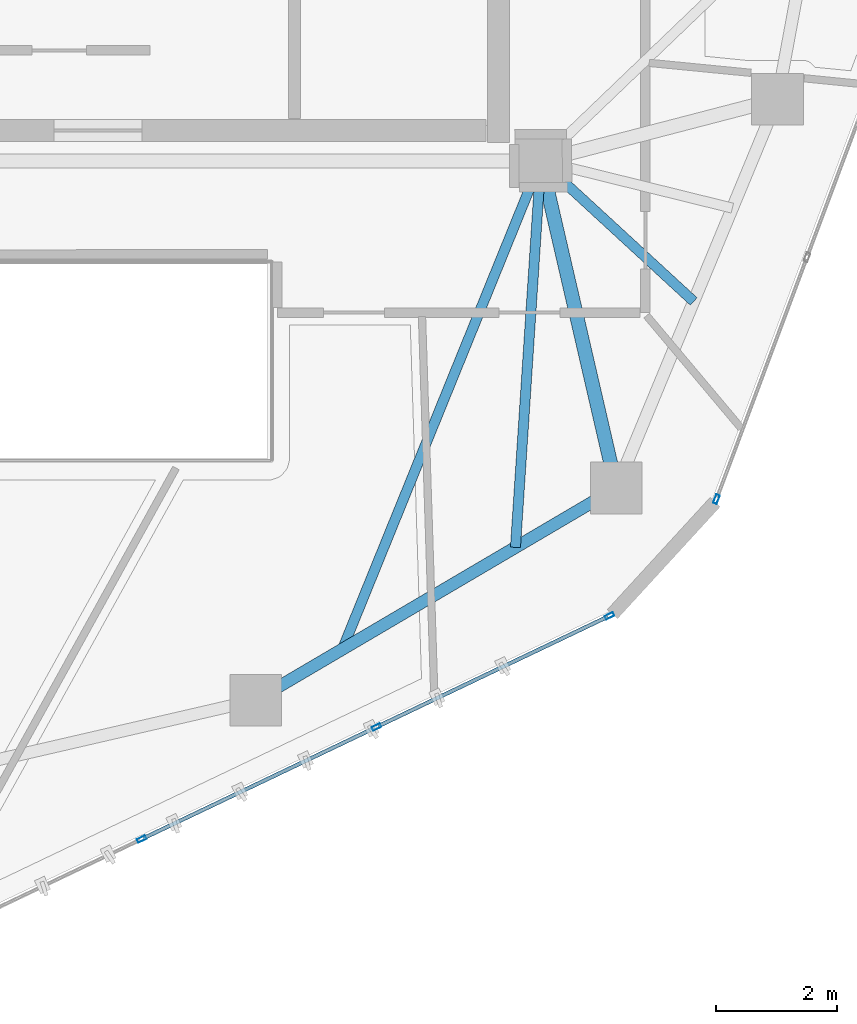
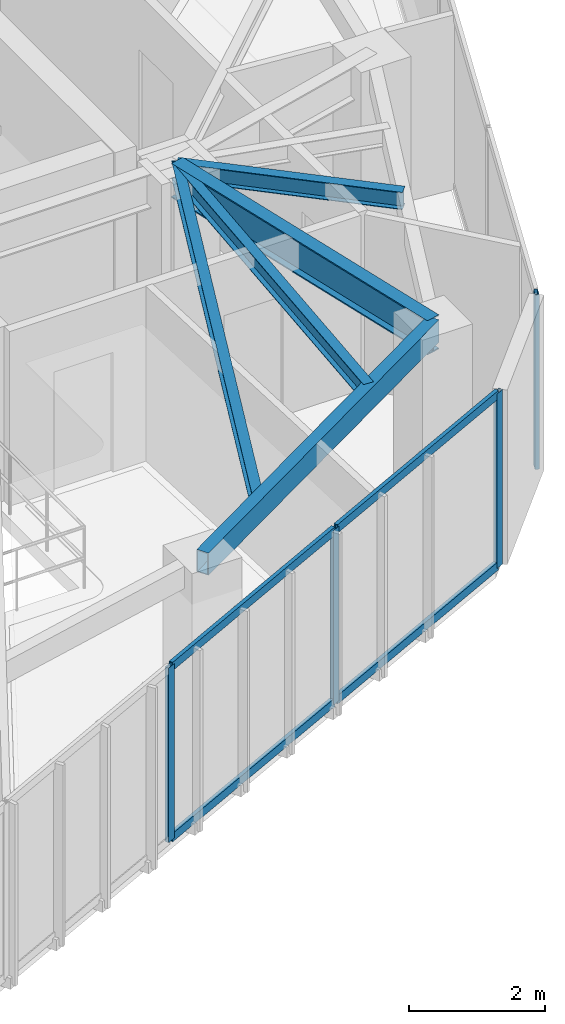
# One storey, part 6 of 20: 8 members, 5 beams, 2 elements without a shape of their own.
"""IFC4 building model written with IfcOpenShell, lengths in metres."""

from ifc_helpers import new_model, si_unit, direction, frame, origin, origin_2d, place, context, subcontext, project, spatial, hollow_rectangle, i_section, extrude, source, transform, mapped, material, layer, layer_set, material_profile, profile_set, type_object, type_shapes, element, aggregate, save


model = new_model("IFC4")

# Units and contexts
model_context = context("Model", 3, precision=1e-05, world=origin(), true_north=direction((0.0, 1.0)))
body_context = subcontext(model_context, "Body", "Model", "MODEL_VIEW")
ifc_project = project(units=[si_unit("LENGTHUNIT", "METRE"), si_unit("AREAUNIT", "SQUARE_METRE"), si_unit("VOLUMEUNIT", "CUBIC_METRE"), si_unit("PLANEANGLEUNIT", "RADIAN"), si_unit("MASSUNIT", "GRAM", prefix="KILO")], contexts=[model_context])

# Site, building, storey
site_placement = place(None, origin())
site = spatial("IfcSite", under=ifc_project, at=site_placement, CompositionType="ELEMENT")
building_placement = place(site_placement, origin())
building = spatial("IfcBuilding", under=site, at=building_placement, Name="Talar Marvaseh", CompositionType="ELEMENT")
storey_placement = place(building_placement, frame((0.0, 0.0, 268.0)))
storey = spatial("IfcBuildingStorey", under=building, at=storey_placement, Name="L71", CompositionType="ELEMENT", Elevation=268.0)

# Beams
ifc_material_1 = material(Name="Steel S355", Category="steel")
ifc_material_profile_1 = material_profile(ifc_material_1, hollow_rectangle(XDim=0.199951171875, YDim=0.39990234375, WallThickness=0.013916015625, at=origin_2d()), Name="RHS400x200x14")
ifc_profile_set_1 = profile_set([ifc_material_profile_1], Name="Steel S355")
beam_type_1 = type_object("IfcBeamType", Name="Zone 3 Perimeter Spandrel Beam RHS400x200x14", PredefinedType="SPANDREL", material=ifc_profile_set_1)
beam_1_placement = place(storey_placement, frame((34.5439453125, 20.111083984375, 2.93994140625), z_axis=(-0.861894136287, -0.507088254482, 0.0), x_axis=(0.507088254482, -0.861894136287, 0.0)))
element("IfcBeam", 1, at=beam_1_placement, inside=storey, type_object=beam_type_1, Name="L71 Zone 3 Perimeter Spandrel Beam RHS400x200x14", PredefinedType="SPANDREL", context=body_context, shape_type="SweptSolid", body=[
    extrude(hollow_rectangle(XDim=0.199951171875, YDim=0.39990234375, WallThickness=0.013916015625, at=origin_2d()), origin(), (0.0, 0.0, 1.0), 6.890625),
])
ifc_material_profile_2 = material_profile(ifc_material_1, i_section(OverallWidth=0.166015625, OverallDepth=0.31298828125, WebThickness=0.006591796875, FlangeThickness=0.01123046875, at=origin_2d()), Name="W310x45")
ifc_profile_set_2 = profile_set([ifc_material_profile_2], Name="Steel S355")
beam_type_2 = type_object("IfcBeamType", Name="Zone 3 Secondary Floor Joist W310x45", PredefinedType="JOIST", material=ifc_profile_set_2)
beam_2_placement = place(storey_placement, frame((35.8173828125, 23.184326171875, 2.9833984375), z_axis=(-0.735970843201, 0.677013233223, 0.0), x_axis=(-0.677013233223, -0.735970843201, 0.0)))
element("IfcBeam", 2, at=beam_2_placement, inside=storey, type_object=beam_type_2, Name="L71 Zone 3 Secondary Floor Joist W310x45", PredefinedType="JOIST", context=body_context, shape_type="SweptSolid", body=[
    extrude(i_section(OverallWidth=0.166015625, OverallDepth=0.31298828125, WebThickness=0.006591796875, FlangeThickness=0.01123046875, at=origin_2d()), origin(), (0.0, 0.0, 1.0), 3.42041015625),
])
beam_3_placement = place(storey_placement, frame((32.881103515625, 19.1328125, 2.9833984375), z_axis=(0.065655577597, 0.997842344827, 0.0), x_axis=(-0.997842344827, 0.065655577597, 0.0)))
element("IfcBeam", 3, at=beam_3_placement, inside=storey, type_object=beam_type_2, Name="L71 Zone 3 Secondary Floor Joist W310x45", PredefinedType="JOIST", context=body_context, shape_type="SweptSolid", body=[
    extrude(i_section(OverallWidth=0.166015625, OverallDepth=0.31298828125, WebThickness=0.006591796875, FlangeThickness=0.01123046875, at=origin_2d()), origin(), (0.0, 0.0, 1.0), 6.380859375),
])
beam_4_placement = place(storey_placement, frame((30.030517578125, 17.45556640625, 2.9833984375), z_axis=(0.37652334678, 0.92640712936, 0.0), x_axis=(-0.92640712936, 0.37652334678, 0.0)))
element("IfcBeam", 4, at=beam_4_placement, inside=storey, type_object=beam_type_2, Name="L71 Zone 3 Secondary Floor Joist W310x45", PredefinedType="JOIST", context=body_context, shape_type="SweptSolid", body=[
    extrude(i_section(OverallWidth=0.166015625, OverallDepth=0.31298828125, WebThickness=0.006591796875, FlangeThickness=0.01123046875, at=origin_2d()), origin(), (0.0, 0.0, 1.0), 8.68359375),
])
ifc_material_profile_3 = material_profile(ifc_material_1, i_section(OverallWidth=0.22998046875, OverallDepth=0.616943359375, WebThickness=0.01318359375, FlangeThickness=0.022216796875, at=origin_2d()), Name="W610x140")
ifc_profile_set_3 = profile_set([ifc_material_profile_3], Name="Steel S355")
beam_type_3 = type_object("IfcBeamType", Name="Zone 4 Radial Floor Girder W610x140", PredefinedType="BEAM", material=ifc_profile_set_3)
beam_5_placement = place(storey_placement, frame((34.5439453125, 20.111083984375, 2.83154296875), z_axis=(-0.22491108979, 0.974379290466, 0.0), x_axis=(-0.974379290466, -0.22491108979, 0.0)))
element("IfcBeam", 5, at=beam_5_placement, inside=storey, type_object=beam_type_3, Name="L71 Zone 4 Radial Floor Girder W610x140", PredefinedType="BEAM", context=body_context, shape_type="SweptSolid", body=[
    extrude(i_section(OverallWidth=0.22998046875, OverallDepth=0.616943359375, WebThickness=0.01318359375, FlangeThickness=0.022216796875, at=origin_2d()), origin(), (0.0, 0.0, 1.0), 5.530517578125),
])

# Curtain wall, member
ifc_material_2 = material(Name="Architectural Aluminium", Category="aluminium")
ifc_layer = layer(ifc_material_2, 0.179931640625)
ifc_layer_set = layer_set([ifc_layer], Name="Architectural Aluminium")
curtain_wall_type = type_object("IfcCurtainWallType", Name="Unitised High-Wind Sky Curtain Wall Z4", PredefinedType="NOTDEFINED", material=ifc_layer_set)
curtain_wall_1_placement = place(storey_placement, origin())
curtain_wall_1 = element("IfcCurtainWall", 6, at=curtain_wall_1_placement, inside=storey, type_object=curtain_wall_type, Name="L71 Unitised High-Wind Sky Curtain Wall Z4", PredefinedType="NOTDEFINED")
ifc_material_profile_4 = material_profile(ifc_material_2, hollow_rectangle(XDim=0.06494140625, YDim=0.14990234375, WallThickness=0.00390625, at=origin_2d()), Name="RHS150x65x4")
ifc_profile_set_4 = profile_set([ifc_material_profile_4], Name="Architectural Aluminium")
member_type_1 = type_object("IfcMemberType", Name="Unitised Curtain Wall Slim Mullion RHS150x65x4", PredefinedType="MULLION", material=ifc_profile_set_4)
shared_shape_1 = source(origin(), body_context, "Body", "SweptSolid", [
    extrude(hollow_rectangle(XDim=0.06494140625, YDim=0.14990234375, WallThickness=0.00390625, at=origin_2d()), origin(), (0.0, 0.0, 1.0), 3.139892578125),
])
type_shapes(member_type_1, [shared_shape_1])
member_1_placement = place(storey_placement, frame((36.19287109375, 19.92822265625, 0.0), z_axis=(0.0, 0.0, 1.0), x_axis=(0.93661841065, -0.350351185001, 0.0)))
member_1 = element("IfcMember", 7, at=member_1_placement, type_object=member_type_1, Name="CW-Z4 mullion 5", PredefinedType="MULLION", context=body_context, shape_type="MappedRepresentation", body=[
    mapped(shared_shape_1, transform((0.0, 0.0, 0.0), x_axis=(1.0, 0.0, 0.0), y_axis=(0.0, 1.0, 0.0), z_axis=(0.0, 0.0, 1.0), scale=1.0)),
])
aggregate(curtain_wall_1, [member_1])

# Curtain wall, members
curtain_wall_2_placement = place(storey_placement, origin())
curtain_wall_2 = element("IfcCurtainWall", 8, at=curtain_wall_2_placement, inside=storey, type_object=curtain_wall_type, Name="L71 Unitised High-Wind Sky Curtain Wall Z4", PredefinedType="NOTDEFINED")
member_2_placement = place(storey_placement, frame((34.43115234375, 18.005615234375, 0.0), z_axis=(0.0, 0.0, 1.0), x_axis=(0.430654764719, -0.902516744235, 0.0)))
member_2 = element("IfcMember", 9, at=member_2_placement, type_object=member_type_1, Name="CW-Z4 mullion 1", PredefinedType="MULLION", context=body_context, shape_type="MappedRepresentation", body=[
    mapped(shared_shape_1, transform((0.0, 0.0, 0.0), x_axis=(1.0, 0.0, 0.0), y_axis=(0.0, 1.0, 0.0), z_axis=(0.0, 0.0, 1.0), scale=1.0)),
])
member_3_placement = place(storey_placement, frame((30.59228515625, 16.173828125, 0.0), z_axis=(0.0, 0.0, 1.0), x_axis=(0.430654764719, -0.902516744235, 0.0)))
member_3 = element("IfcMember", 10, at=member_3_placement, type_object=member_type_1, Name="CW-Z4 mullion 2", PredefinedType="MULLION", context=body_context, shape_type="MappedRepresentation", body=[
    mapped(shared_shape_1, transform((0.0, 0.0, 0.0), x_axis=(1.0, 0.0, 0.0), y_axis=(0.0, 1.0, 0.0), z_axis=(0.0, 0.0, 1.0), scale=1.0)),
])
member_4_placement = place(storey_placement, frame((26.7236328125, 14.327880859375, 0.0), z_axis=(0.0, 0.0, 1.0), x_axis=(0.430654764719, -0.902516744235, 0.0)))
member_4 = element("IfcMember", 11, at=member_4_placement, type_object=member_type_1, Name="CW-Z4 mullion 3", PredefinedType="MULLION", context=body_context, shape_type="MappedRepresentation", body=[
    mapped(shared_shape_1, transform((0.0, 0.0, 0.0), x_axis=(1.0, 0.0, 0.0), y_axis=(0.0, 1.0, 0.0), z_axis=(0.0, 0.0, 1.0), scale=1.0)),
])
ifc_material_profile_5 = material_profile(ifc_material_2, hollow_rectangle(XDim=0.06494140625, YDim=0.14990234375, WallThickness=0.00390625, at=origin_2d()), Name="RHS150x65x4")
ifc_profile_set_5 = profile_set([ifc_material_profile_5], Name="Architectural Aluminium")
member_type_2 = type_object("IfcMemberType", Name="Unitised Curtain Wall Slim Transom RHS150x65x4", PredefinedType="USERDEFINED", material=ifc_profile_set_5)
shared_shape_2 = source(origin(), body_context, "Body", "SweptSolid", [
    extrude(hollow_rectangle(XDim=0.06494140625, YDim=0.14990234375, WallThickness=0.00390625, at=origin_2d()), origin(), (0.0, 0.0, 1.0), 4.188720703125),
])
member_5_placement = place(storey_placement, frame((34.40185546875, 17.99169921875, 0.032470703125), z_axis=(-0.902505753435, -0.430677797218, 0.0), x_axis=(0.430677797218, -0.902505753435, 0.0)))
member_5 = element("IfcMember", 12, at=member_5_placement, type_object=member_type_2, Name="CW-Z4 transom 1.1", ObjectType="TRANSOM", PredefinedType="USERDEFINED", context=body_context, shape_type="MappedRepresentation", body=[
    mapped(shared_shape_2, transform((0.0, 0.0, 0.0), x_axis=(1.0, 0.0, 0.0), y_axis=(0.0, 1.0, 0.0), z_axis=(0.0, 0.0, 1.0), scale=1.0)),
])
member_6_placement = place(storey_placement, frame((34.40185546875, 17.99169921875, 3.107421875), z_axis=(-0.902505753435, -0.430677797218, 0.0), x_axis=(0.430677797218, -0.902505753435, 0.0)))
member_6 = element("IfcMember", 13, at=member_6_placement, type_object=member_type_2, Name="CW-Z4 transom 1.2", ObjectType="TRANSOM", PredefinedType="USERDEFINED", context=body_context, shape_type="MappedRepresentation", body=[
    mapped(shared_shape_2, transform((0.0, 0.0, 0.0), x_axis=(1.0, 0.0, 0.0), y_axis=(0.0, 1.0, 0.0), z_axis=(0.0, 0.0, 1.0), scale=1.0)),
])
shared_shape_3 = source(origin(), body_context, "Body", "SweptSolid", [
    extrude(hollow_rectangle(XDim=0.06494140625, YDim=0.14990234375, WallThickness=0.00390625, at=origin_2d()), origin(), (0.0, 0.0, 1.0), 4.22119140625),
])
type_shapes(member_type_2, [shared_shape_2, shared_shape_3])
member_7_placement = place(storey_placement, frame((30.562744140625, 16.159912109375, 0.032470703125), z_axis=(-0.902489213156, -0.430712456445, 0.0), x_axis=(0.430712456445, -0.902489213156, 0.0)))
member_7 = element("IfcMember", 14, at=member_7_placement, type_object=member_type_2, Name="CW-Z4 transom 2.1", ObjectType="TRANSOM", PredefinedType="USERDEFINED", context=body_context, shape_type="MappedRepresentation", body=[
    mapped(shared_shape_3, transform((0.0, 0.0, 0.0), x_axis=(1.0, 0.0, 0.0), y_axis=(0.0, 1.0, 0.0), z_axis=(0.0, 0.0, 1.0), scale=1.0)),
])
member_8_placement = place(storey_placement, frame((30.562744140625, 16.159912109375, 3.107421875), z_axis=(-0.902489213156, -0.430712456445, 0.0), x_axis=(0.430712456445, -0.902489213156, 0.0)))
member_8 = element("IfcMember", 15, at=member_8_placement, type_object=member_type_2, Name="CW-Z4 transom 2.2", ObjectType="TRANSOM", PredefinedType="USERDEFINED", context=body_context, shape_type="MappedRepresentation", body=[
    mapped(shared_shape_3, transform((0.0, 0.0, 0.0), x_axis=(1.0, 0.0, 0.0), y_axis=(0.0, 1.0, 0.0), z_axis=(0.0, 0.0, 1.0), scale=1.0)),
])
aggregate(curtain_wall_2, [member_2, member_3, member_4, member_5, member_6, member_7, member_8])

save(model, "model.ifc")
